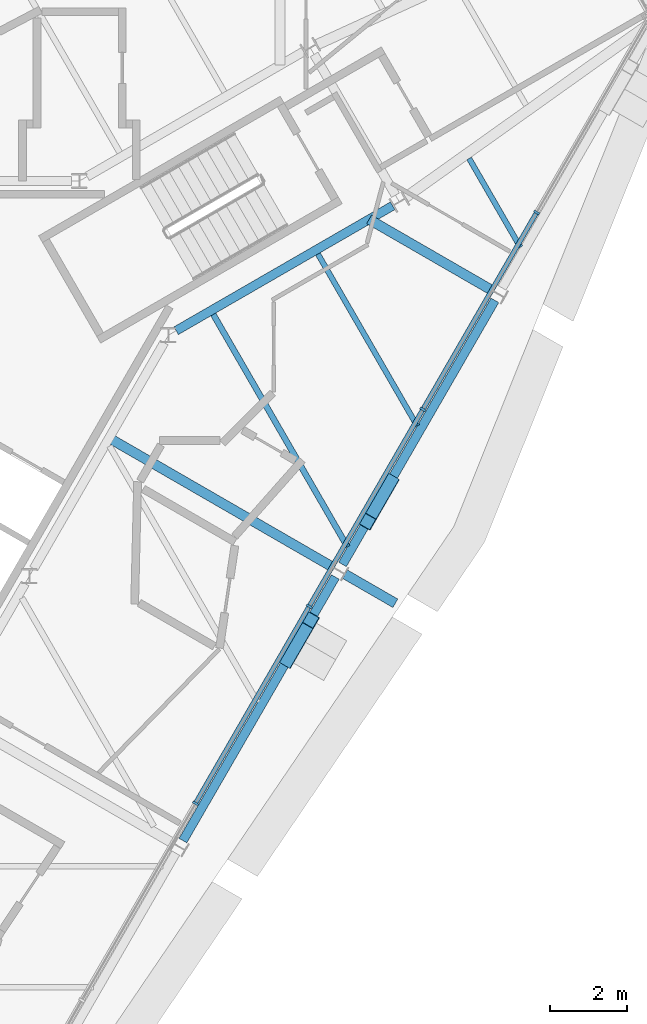
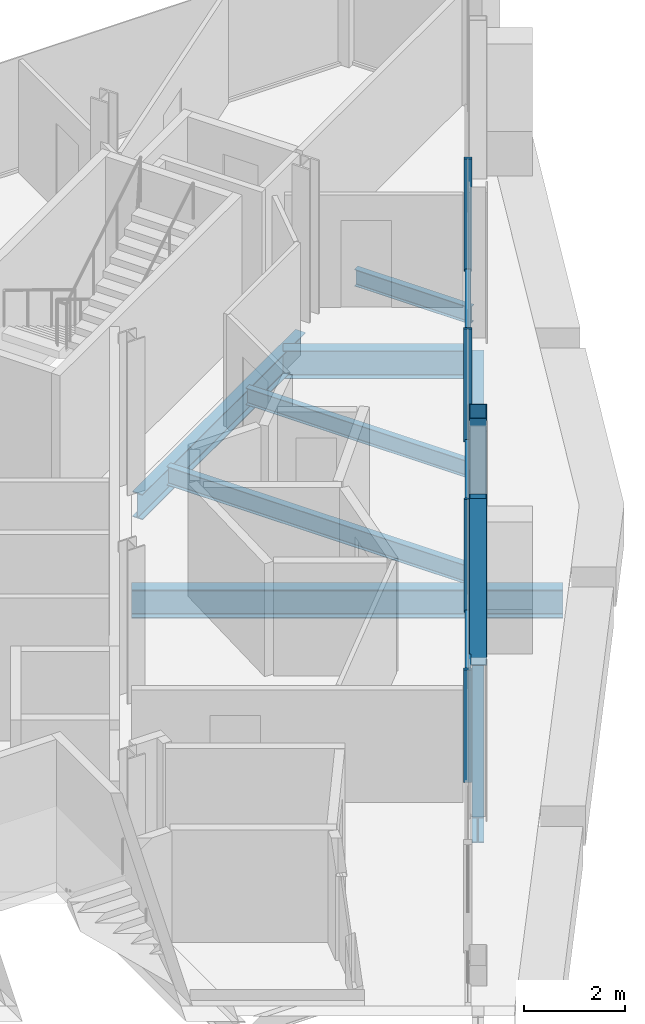
# One storey, part 5 of 15: 9 beams, 9 members, 1 element without a shape of its own.
"""IFC4 building model written with IfcOpenShell, lengths in metres."""

import ifcopenshell
import ifcopenshell.guid

model = None  # the IFC model being written
_history = None  # IfcOwnerHistory: only IFC2X3 demands one
_inside = {}  # id of a spatial element -> (the spatial element, [elements in it])
_under = {}  # id of a project, library or spatial element -> (it, [spatial elements below it])
_declared = {}  # id of a project -> (the project, [libraries it declares])
_typed = {}  # id of a type object -> (the type object, [elements of that type])
_made_of = {}  # id of a material, layer set ... -> (it, [elements and type objects made of it])


def new_model(schema):
    """Start an empty IFC model of exactly this schema.

    Asked for "IFC4X3", IfcOpenShell would pick the latest addendum, in which some entities
    have other attributes; the version numbers below select the first issue.
    IFC2X3 requires an IfcOwnerHistory on every rooted entity: one is made here for all.
    """
    global model, _history
    if schema == "IFC4X3":
        model = ifcopenshell.file(schema_version=(4, 3, 0, 0))
    else:
        model = ifcopenshell.file(schema=schema)
    _inside.clear()
    _under.clear()
    _declared.clear()
    _typed.clear()
    _made_of.clear()
    _history = None
    if model.schema == "IFC2X3":
        org = make("IfcOrganization", Name="unknown")
        user = make(
            "IfcPersonAndOrganization",
            ThePerson=make("IfcPerson", FamilyName="unknown"),
            TheOrganization=org,
        )
        app = make(
            "IfcApplication",
            ApplicationDeveloper=org,
            Version="unknown",
            ApplicationFullName="unknown",
            ApplicationIdentifier="unknown",
        )
        _history = make(
            "IfcOwnerHistory",
            OwningUser=user,
            OwningApplication=app,
            ChangeAction="ADDED",
            CreationDate=0,
        )
    return model


def make(cls, **values):
    """One entity of the class cls with the attributes given. An attribute that is None is left unset."""
    return model.create_entity(
        cls, **{name: value for name, value in values.items() if value is not None}
    )


def rooted(cls, **values):
    """An entity with a GlobalId (a new one), such as an element, a storey or a relation."""
    return make(cls, GlobalId=ifcopenshell.guid.new(), OwnerHistory=_history, **values)


def si_unit(unit_type, name, prefix=None):
    """IfcSIUnit, for example si_unit("LENGTHUNIT", "METRE", prefix="MILLI")."""
    return make("IfcSIUnit", UnitType=unit_type, Prefix=prefix, Name=name)


def assignment(units):
    """IfcUnitAssignment: the units of a project."""
    return None if units is None else make("IfcUnitAssignment", Units=units)


def point(xyz):
    """IfcCartesianPoint."""
    return None if xyz is None else make("IfcCartesianPoint", Coordinates=xyz)


def direction(xyz):
    """IfcDirection."""
    return None if xyz is None else make("IfcDirection", DirectionRatios=xyz)


def frame(location, z_axis=None, x_axis=None):
    """IfcAxis2Placement3D, a coordinate frame: its origin and axes. An axis left out is left unset."""
    return make(
        "IfcAxis2Placement3D",
        Location=point(location),
        Axis=direction(z_axis),
        RefDirection=direction(x_axis),
    )


def frame_2d(location, x_axis=None):
    """IfcAxis2Placement2D, a coordinate frame in the plane: its origin and x axis."""
    return make(
        "IfcAxis2Placement2D", Location=point(location), RefDirection=direction(x_axis)
    )


def origin():
    """The frame at (0, 0, 0) with its axes left unset."""
    return frame((0.0, 0.0, 0.0))


def origin_2d():
    """The frame at (0, 0) in the plane with its x axis left unset."""
    return frame_2d((0.0, 0.0))


def place(relative_to, where):
    """IfcLocalPlacement: puts the frame where relative to a parent placement (None: the world)."""
    return make(
        "IfcLocalPlacement", PlacementRelTo=relative_to, RelativePlacement=where
    )


def context(
    kind, dimensions, precision=None, world=None, true_north=None, identifier=None
):
    """IfcGeometricRepresentationContext, for example the 3D "Model" context."""
    return make(
        "IfcGeometricRepresentationContext",
        ContextIdentifier=identifier,
        ContextType=kind,
        CoordinateSpaceDimension=dimensions,
        Precision=precision,
        WorldCoordinateSystem=world,
        TrueNorth=true_north,
    )


def subcontext(parent, identifier, kind, view, scale=None):
    """IfcGeometricRepresentationSubContext, for example "Body" below "Model"."""
    return make(
        "IfcGeometricRepresentationSubContext",
        ContextIdentifier=identifier,
        ContextType=kind,
        ParentContext=parent,
        TargetScale=scale,
        TargetView=view,
    )


def project(units=None, contexts=None):
    """IfcProject with its units and contexts."""
    return rooted(
        "IfcProject",
        Name="project",
        RepresentationContexts=contexts,
        UnitsInContext=assignment(units),
    )


def spatial(cls, under=None, at=None, **own):
    """A site, building, storey or space (cls), placed at a placement, below another one or the project."""
    s = rooted(cls, ObjectPlacement=at, **own)
    if under is not None:
        _under.setdefault(under.id(), (under, []))[1].append(s)
    return s


def profile(cls, at=None, kind="AREA", **sizes):
    """A parametric profile (cls). Its sizes go by their IFC names, for example OverallWidth=200.0."""
    return make(cls, ProfileType=kind, Position=at, **sizes)


def rectangle(**sizes):
    """IfcRectangleProfileDef."""
    return profile("IfcRectangleProfileDef", **sizes)


def hollow_rectangle(**sizes):
    """IfcRectangleHollowProfileDef."""
    return profile("IfcRectangleHollowProfileDef", **sizes)


def i_section(**sizes):
    """IfcIShapeProfileDef."""
    return profile("IfcIShapeProfileDef", **sizes)


def extrude(swept, where, along, depth):
    """IfcExtrudedAreaSolid: the profile swept, set in the frame where, extruded along a direction by depth."""
    return make(
        "IfcExtrudedAreaSolid",
        SweptArea=swept,
        Position=where,
        ExtrudedDirection=direction(along),
        Depth=depth,
    )


def shape(context_of_items, identifier, shape_type, items):
    """IfcShapeRepresentation: the items that make up one representation, for example the "Body"."""
    return make(
        "IfcShapeRepresentation",
        ContextOfItems=context_of_items,
        RepresentationIdentifier=identifier,
        RepresentationType=shape_type,
        Items=items,
    )


def material(Name=None, Category=None):
    """IfcMaterial."""
    return make("IfcMaterial", Name=Name, Category=Category)


def material_profile(
    of_material, cross_section, Name=None, Category=None, Priority=None
):
    """IfcMaterialProfile: a cross section and its material."""
    return make(
        "IfcMaterialProfile",
        Name=Name,
        Material=of_material,
        Profile=cross_section,
        Priority=Priority,
        Category=Category,
    )


def profile_set(profiles, Name=None, composite=None):
    """IfcMaterialProfileSet."""
    return make(
        "IfcMaterialProfileSet",
        Name=Name,
        MaterialProfiles=profiles,
        CompositeProfile=composite,
    )


def made_of(thing, what):
    """Note that an element or type object is made of a material, layer set ...; save() writes the relation."""
    if what is not None:
        _made_of.setdefault(what.id(), (what, []))[1].append(thing)
    return thing


def type_object(cls, material=None, **own):
    """A type object (cls), such as IfcWallType, which elements share."""
    return made_of(rooted(cls, **own), material)


def element(
    cls,
    number,
    at=None,
    inside=None,
    cuts=None,
    type_object=None,
    material=None,
    context=None,
    identifier="Body",
    shape_type=None,
    held_by="IfcProductDefinitionShape",
    body=None,
    shapes=None,
    **own,
):
    """One element of the class cls, such as IfcWall. Its Tag is "e" and its number.

    at: its placement. inside: the storey or other place that contains it. cuts: it is an
    opening in that element (IfcRelVoidsElement). A single representation is given by context,
    identifier, shape_type and body (its items); several are given by shapes. held_by: the class
    of the entity that holds the representations. save() writes the other relations.
    """
    e = rooted(cls, Tag="e%d" % number, ObjectPlacement=at, **own)
    if body is not None:
        shapes = [shape(context, identifier, shape_type, body)]
    if shapes is not None:
        e.Representation = make(held_by, Representations=shapes)
    if inside is not None:
        _inside.setdefault(inside.id(), (inside, []))[1].append(e)
    if cuts is not None:
        rooted(
            "IfcRelVoidsElement", RelatingBuildingElement=cuts, RelatedOpeningElement=e
        )
    if type_object is not None:
        _typed.setdefault(type_object.id(), (type_object, []))[1].append(e)
    return made_of(e, material)


def aggregate(whole, parts):
    """IfcRelAggregates: a whole, such as a stair, and the parts it consists of."""
    return rooted("IfcRelAggregates", RelatingObject=whole, RelatedObjects=parts)


def save(model, path):
    """Write the relations noted so far, then the file.

    IfcRelAggregates (storeys below a building ...), IfcRelContainedInSpatialStructure (elements
    in a storey), IfcRelDefinesByType, IfcRelAssociatesMaterial and IfcRelDeclares: one each for
    every whole, place, type object, material and project.
    """
    for whole, parts in _under.values():
        aggregate(whole, parts)
    for where, things in _inside.values():
        rooted(
            "IfcRelContainedInSpatialStructure",
            RelatedElements=things,
            RelatingStructure=where,
        )
    for kind, things in _typed.values():
        rooted("IfcRelDefinesByType", RelatedObjects=things, RelatingType=kind)
    for what, things in _made_of.values():
        rooted("IfcRelAssociatesMaterial", RelatedObjects=things, RelatingMaterial=what)
    for by, libraries in _declared.values():
        rooted("IfcRelDeclares", RelatingContext=by, RelatedDefinitions=libraries)
    model.write(path)


model = new_model("IFC4")

# Units and contexts
model_context = context("Model", 3, precision=1e-05, world=origin(), true_north=direction((0.0, 1.0)))
body_context = subcontext(model_context, "Body", "Model", "MODEL_VIEW")
ifc_project = project(units=[si_unit("LENGTHUNIT", "METRE"), si_unit("AREAUNIT", "SQUARE_METRE"), si_unit("VOLUMEUNIT", "CUBIC_METRE"), si_unit("PLANEANGLEUNIT", "RADIAN"), si_unit("MASSUNIT", "GRAM", prefix="KILO")], contexts=[model_context])

# Site, building, storey
site_placement = place(None, origin())
site = spatial("IfcSite", under=ifc_project, at=site_placement, CompositionType="ELEMENT")
building_placement = place(site_placement, origin())
building = spatial("IfcBuilding", under=site, at=building_placement, Name="Verrane Prism Tower", CompositionType="ELEMENT")
storey_placement = place(building_placement, frame((0.0, 0.0, 301.0)))
storey = spatial("IfcBuildingStorey", under=building, at=storey_placement, Name="L76", CompositionType="ELEMENT", Elevation=301.0)

# Beam
ifc_material_1 = material(Name="Steel A992", Category="steel")
ifc_material_profile_1 = material_profile(ifc_material_1, i_section(OverallWidth=0.23046875, OverallDepth=0.6171875, WebThickness=0.01318359375, FlangeThickness=0.022216796875, FilletRadius=0.012939453125, at=origin_2d()), Name="W24x94")
ifc_profile_set_1 = profile_set([ifc_material_profile_1], Name="Steel A992")
beam_type_1 = type_object("IfcBeamType", Name="Core ring girder W24x94", PredefinedType="BEAM", material=ifc_profile_set_1)
beam_1_placement = place(storey_placement, frame((9.679443359375, 2.93505859375, -0.55859375), z_axis=(0.866080992722, 0.499903704773, 0.0), x_axis=(-0.499903704773, 0.866080992722, 0.0)))
element("IfcBeam", 1, at=beam_1_placement, inside=storey, type_object=beam_type_1, Name="Core ring girder L76", PredefinedType="BEAM", context=body_context, shape_type="SweptSolid", body=[
    extrude(i_section(OverallWidth=0.23046875, OverallDepth=0.6171875, WebThickness=0.01318359375, FlangeThickness=0.022216796875, FilletRadius=0.012939453125, at=origin_2d()), origin(), (0.0, 0.0, 1.0), 6.451904296875),
])

# Members
ifc_material_2 = material(Name="Steel A500 Grade C", Category="steel")
ifc_material_profile_2 = material_profile(ifc_material_2, hollow_rectangle(XDim=0.355712890625, YDim=0.355712890625, WallThickness=0.0126953125, InnerFilletRadius=0.00634765625, OuterFilletRadius=0.01904296875, at=origin_2d()), Name="HSS14x14x1/2")
ifc_profile_set_2 = profile_set([ifc_material_profile_2], Name="Steel A500 Grade C")
member_type_1 = type_object("IfcMemberType", Name="Facade brace HSS14x14x1/2", PredefinedType="BRACE", material=ifc_profile_set_2)
member_1_placement = place(storey_placement, frame((12.553466796875, -5.555908203125, -0.216796875), z_axis=(0.173952095241, 0.301139794354, 0.937579592791), x_axis=(-0.865914625179, 0.500191825104, 0.0)))
element("IfcMember", 2, at=member_1_placement, inside=storey, type_object=member_type_1, Name="Facade brace SE2 L76", PredefinedType="BRACE", context=body_context, shape_type="SweptSolid", body=[
    extrude(hollow_rectangle(XDim=0.355712890625, YDim=0.355712890625, WallThickness=0.0126953125, InnerFilletRadius=0.00634765625, OuterFilletRadius=0.01904296875, at=origin_2d()), origin(), (0.0, 0.0, 1.0), 3.4091796875),
])
member_2_placement = place(storey_placement, frame((15.20654296875, -0.9609375, -0.216796875), z_axis=(-0.17399901277, -0.301526684269, 0.937446532997), x_axis=(0.86613421761, -0.499811481546, 0.0)))
element("IfcMember", 3, at=member_2_placement, inside=storey, type_object=member_type_1, Name="Facade brace SE3 L76", PredefinedType="BRACE", context=body_context, shape_type="SweptSolid", body=[
    extrude(hollow_rectangle(XDim=0.355712890625, YDim=0.355712890625, WallThickness=0.0126953125, InnerFilletRadius=0.00634765625, OuterFilletRadius=0.01904296875, at=origin_2d()), origin(), (0.0, 0.0, 1.0), 3.40966796875),
])

# Beams
ifc_material_3 = material(Name="Steel A992", Category="steel")
ifc_material_profile_3 = material_profile(ifc_material_3, i_section(OverallWidth=0.140380859375, OverallDepth=0.40380859375, WebThickness=0.007080078125, FlangeThickness=0.01123046875, FilletRadius=0.01025390625, at=origin_2d()), Name="W16x31")
ifc_profile_set_3 = profile_set([ifc_material_profile_3], Name="Steel A992")
beam_type_2 = type_object("IfcBeamType", Name="Floor beam W16x31", PredefinedType="BEAM", material=ifc_profile_set_3)
beam_2_placement = place(storey_placement, frame((15.902099609375, 0.474609375, -0.36181640625), z_axis=(-0.500011000363, 0.866019052629, 0.0), x_axis=(-0.866019052629, -0.500011000363, 0.0)))
element("IfcBeam", 4, at=beam_2_placement, inside=storey, type_object=beam_type_2, Name="Floor beam L76", PredefinedType="BEAM", context=body_context, shape_type="SweptSolid", body=[
    extrude(i_section(OverallWidth=0.140380859375, OverallDepth=0.40380859375, WebThickness=0.007080078125, FlangeThickness=0.01123046875, FilletRadius=0.01025390625, at=origin_2d()), origin(), (0.0, 0.0, 1.0), 5.126953125),
])
beam_3_placement = place(storey_placement, frame((18.565185546875, 5.089599609375, -0.36181640625), z_axis=(-0.49994082229, 0.866059567356, 0.0), x_axis=(-0.866059567356, -0.49994082229, 0.0)))
element("IfcBeam", 5, at=beam_3_placement, inside=storey, type_object=beam_type_2, Name="Floor beam L76", PredefinedType="BEAM", context=body_context, shape_type="SweptSolid", body=[
    extrude(i_section(OverallWidth=0.140380859375, OverallDepth=0.40380859375, WebThickness=0.007080078125, FlangeThickness=0.01123046875, FilletRadius=0.01025390625, at=origin_2d()), origin(), (0.0, 0.0, 1.0), 2.645263671875),
])
ifc_material_4 = material(Name="Steel A992", Category="steel")
ifc_material_profile_4 = material_profile(ifc_material_4, i_section(OverallWidth=0.15234375, OverallDepth=0.449462890625, WebThickness=0.007568359375, FlangeThickness=0.0107421875, FilletRadius=0.01025390625, at=origin_2d()), Name="W18x35")
ifc_profile_set_4 = profile_set([ifc_material_profile_4], Name="Steel A992")
beam_type_3 = type_object("IfcBeamType", Name="Floor beam W18x35", PredefinedType="BEAM", material=ifc_profile_set_4)
beam_4_placement = place(storey_placement, frame((14.1015625, -2.64599609375, -0.384765625), z_axis=(-0.49999287541, 0.866029517129, 0.0), x_axis=(-0.866029517129, -0.49999287541, 0.0)))
element("IfcBeam", 6, at=beam_4_placement, inside=storey, type_object=beam_type_3, Name="Floor beam L76", PredefinedType="BEAM", context=body_context, shape_type="SweptSolid", body=[
    extrude(i_section(OverallWidth=0.15234375, OverallDepth=0.449462890625, WebThickness=0.007568359375, FlangeThickness=0.0107421875, FilletRadius=0.01025390625, at=origin_2d()), origin(), (0.0, 0.0, 1.0), 6.92919921875),
])

# Curtain wall, members
ifc_material_5 = material(Name="Aluminium framed insulated glazing", Category="aluminium")
curtain_wall_type = type_object("IfcCurtainWallType", Name="Curtain wall CW-B 5600 module", PredefinedType="NOTDEFINED", material=ifc_material_5)
curtain_wall_placement = place(storey_placement, origin())
curtain_wall = element("IfcCurtainWall", 7, at=curtain_wall_placement, inside=storey, type_object=curtain_wall_type, Name="Glazed curtain wall south-east face L76", PredefinedType="NOTDEFINED")
ifc_material_6 = material(Name="Aluminium alloy 6063-T6", Category="aluminium")
ifc_material_profile_5 = material_profile(ifc_material_6, rectangle(XDim=0.159912109375, YDim=0.06005859375, at=origin_2d()), Name="Mullion 60x160 aluminium")
ifc_profile_set_5 = profile_set([ifc_material_profile_5], Name="Aluminium alloy 6063-T6")
member_type_2 = type_object("IfcMemberType", Name="Mullion 60x160 aluminium", PredefinedType="MULLION", material=ifc_profile_set_5)
member_3_placement = place(storey_placement, frame((10.177978515625, -9.265625, 0.0), z_axis=(0.0, 0.0, 1.0), x_axis=(-0.866024861728, 0.500000938868, 0.0)))
member_3 = element("IfcMember", 8, at=member_3_placement, type_object=member_type_2, Name="CW75.6 mullion 4", PredefinedType="MULLION", context=body_context, shape_type="SweptSolid", body=[
    extrude(rectangle(XDim=0.159912109375, YDim=0.06005859375, at=origin_2d()), origin(), (0.0, 0.0, 1.0), 2.72314453125),
])
member_4_placement = place(storey_placement, frame((13.11328125, -4.181640625, 0.0), z_axis=(0.0, 0.0, 1.0), x_axis=(-0.866024861728, 0.500000938868, 0.0)))
member_4 = element("IfcMember", 9, at=member_4_placement, type_object=member_type_2, Name="CW75.6 mullion 5", PredefinedType="MULLION", context=body_context, shape_type="SweptSolid", body=[
    extrude(rectangle(XDim=0.159912109375, YDim=0.06005859375, at=origin_2d()), origin(), (0.0, 0.0, 1.0), 2.72314453125),
])
member_5_placement = place(storey_placement, frame((16.04833984375, 0.902099609375, 0.0), z_axis=(0.0, 0.0, 1.0), x_axis=(-0.866024861728, 0.500000938868, 0.0)))
member_5 = element("IfcMember", 10, at=member_5_placement, type_object=member_type_2, Name="CW75.6 mullion 6", PredefinedType="MULLION", context=body_context, shape_type="SweptSolid", body=[
    extrude(rectangle(XDim=0.159912109375, YDim=0.06005859375, at=origin_2d()), origin(), (0.0, 0.0, 1.0), 2.72314453125),
])
member_6_placement = place(storey_placement, frame((18.983642578125, 5.986083984375, 0.0), z_axis=(0.0, 0.0, 1.0), x_axis=(-0.866024861728, 0.500000938868, 0.0)))
member_6 = element("IfcMember", 11, at=member_6_placement, type_object=member_type_2, Name="CW75.6 mullion 7", PredefinedType="MULLION", context=body_context, shape_type="SweptSolid", body=[
    extrude(rectangle(XDim=0.159912109375, YDim=0.06005859375, at=origin_2d()), origin(), (0.0, 0.0, 1.0), 2.72314453125),
])

# Beams
ifc_material_7 = material(Name="Steel A992", Category="steel")
ifc_material_profile_6 = material_profile(ifc_material_7, i_section(OverallWidth=0.25390625, OverallDepth=0.683349609375, WebThickness=0.012451171875, FlangeThickness=0.01904296875, FilletRadius=0.01513671875, at=origin_2d()), Name="W27x94")
ifc_profile_set_6 = profile_set([ifc_material_profile_6], Name="Steel A992")
beam_type_4 = type_object("IfcBeamType", Name="Radial girder W27x94", PredefinedType="BEAM", material=ifc_profile_set_6)
beam_5_placement = place(storey_placement, frame((13.720458984375, -3.16796875, -0.5615234375), z_axis=(-0.866025791777, 0.499999327977, 0.0), x_axis=(-0.499999327977, -0.866025791777, 0.0)))
element("IfcBeam", 12, at=beam_5_placement, inside=storey, type_object=beam_type_4, Name="Radial girder L76", PredefinedType="BEAM", context=body_context, shape_type="SweptSolid", body=[
    extrude(i_section(OverallWidth=0.25390625, OverallDepth=0.683349609375, WebThickness=0.012451171875, FlangeThickness=0.01904296875, FilletRadius=0.01513671875, at=origin_2d()), origin(), (0.0, 0.0, 1.0), 6.666015625),
])
beam_6_placement = place(storey_placement, frame((17.840576171875, 3.97216796875, -0.5615234375), z_axis=(-0.866042841795, 0.499969795263, 0.0), x_axis=(-0.499969795263, -0.866042841795, 0.0)))
element("IfcBeam", 13, at=beam_6_placement, inside=storey, type_object=beam_type_4, Name="Radial girder L76", PredefinedType="BEAM", context=body_context, shape_type="SweptSolid", body=[
    extrude(i_section(OverallWidth=0.25390625, OverallDepth=0.683349609375, WebThickness=0.012451171875, FlangeThickness=0.01904296875, FilletRadius=0.01513671875, at=origin_2d()), origin(), (0.0, 0.0, 1.0), 3.674072265625),
])
beam_7_placement = place(storey_placement, frame((14.035888671875, -3.35009765625, -0.5615234375), z_axis=(0.86607463192, -0.499914724673, 0.0), x_axis=(0.499914724673, 0.86607463192, 0.0)))
element("IfcBeam", 14, at=beam_7_placement, inside=storey, type_object=beam_type_4, Name="Cantilever girder L76", PredefinedType="BEAM", context=body_context, shape_type="SweptSolid", body=[
    extrude(i_section(OverallWidth=0.25390625, OverallDepth=0.683349609375, WebThickness=0.012451171875, FlangeThickness=0.01904296875, FilletRadius=0.01513671875, at=origin_2d()), origin(), (0.0, 0.0, 1.0), 1.502197265625),
])
ifc_material_8 = material(Name="Steel A992", Category="steel")
ifc_material_profile_7 = material_profile(ifc_material_8, i_section(OverallWidth=0.23046875, OverallDepth=0.6171875, WebThickness=0.01318359375, FlangeThickness=0.022216796875, FilletRadius=0.012939453125, at=origin_2d()), Name="W24x94")
ifc_profile_set_7 = profile_set([ifc_material_profile_7], Name="Steel A992")
beam_type_5 = type_object("IfcBeamType", Name="Spandrel beam W24x94", PredefinedType="SPANDREL", material=ifc_profile_set_7)
beam_8_placement = place(storey_placement, frame((9.853515625, -10.228515625, -0.468505859375), z_axis=(0.500300363133, 0.865851919585, 0.0), x_axis=(-0.865851919585, 0.500300363133, 0.0)))
element("IfcBeam", 15, at=beam_8_placement, inside=storey, type_object=beam_type_5, Name="Spandrel beam L76", PredefinedType="SPANDREL", context=body_context, shape_type="SweptSolid", body=[
    extrude(i_section(OverallWidth=0.23046875, OverallDepth=0.6171875, WebThickness=0.01318359375, FlangeThickness=0.022216796875, FilletRadius=0.012939453125, at=origin_2d()), origin(), (0.0, 0.0, 1.0), 7.861572265625),
])
beam_9_placement = place(storey_placement, frame((13.973388671875, -3.098388671875, -0.468505859375), z_axis=(0.499786009893, 0.866148915785, 0.0), x_axis=(-0.866148915785, 0.499786009893, 0.0)))
element("IfcBeam", 16, at=beam_9_placement, inside=storey, type_object=beam_type_5, Name="Spandrel beam L76", PredefinedType="SPANDREL", context=body_context, shape_type="SweptSolid", body=[
    extrude(i_section(OverallWidth=0.23046875, OverallDepth=0.6171875, WebThickness=0.01318359375, FlangeThickness=0.022216796875, FilletRadius=0.012939453125, at=origin_2d()), origin(), (0.0, 0.0, 1.0), 7.8701171875),
])

# Member
ifc_material_9 = material(Name="Aluminium alloy 6063-T6", Category="aluminium")
ifc_material_profile_8 = material_profile(ifc_material_9, rectangle(XDim=0.1201171875, YDim=0.06005859375, at=origin_2d()), Name="Transom 60x120 aluminium")
ifc_profile_set_8 = profile_set([ifc_material_profile_8], Name="Aluminium alloy 6063-T6")
member_type_3 = type_object("IfcMemberType", Name="Transom 60x120 aluminium", PredefinedType="USERDEFINED", material=ifc_profile_set_8)
member_7_placement = place(storey_placement, frame((10.193115234375, -9.239501953125, 0.030029296875), z_axis=(0.499994042164, 0.866028843516, 0.0), x_axis=(-0.866028843516, 0.499994042164, 0.0)))
member_7 = element("IfcMember", 17, at=member_7_placement, type_object=member_type_3, Name="CW75.6 transom 4", ObjectType="TRANSOM", PredefinedType="USERDEFINED", context=body_context, shape_type="SweptSolid", body=[
    extrude(rectangle(XDim=0.1201171875, YDim=0.06005859375, at=origin_2d()), origin(), (0.0, 0.0, 1.0), 5.81005859375),
])

member_8_placement = place(storey_placement, frame((13.128173828125, -4.15576171875, 0.030029296875), z_axis=(0.500007361489, 0.866021153585, 0.0), x_axis=(-0.866021153585, 0.500007361489, 0.0)))
member_8 = element("IfcMember", 18, at=member_8_placement, type_object=member_type_3, Name="CW75.6 transom 5", ObjectType="TRANSOM", PredefinedType="USERDEFINED", context=body_context, shape_type="SweptSolid", body=[
    extrude(rectangle(XDim=0.1201171875, YDim=0.06005859375, at=origin_2d()), origin(), (0.0, 0.0, 1.0), 5.810546875),
])

member_9_placement = place(storey_placement, frame((16.0634765625, 0.92822265625, 0.030029296875), z_axis=(0.499994042164, 0.866028843516, 0.0), x_axis=(-0.866028843516, 0.499994042164, 0.0)))
member_9 = element("IfcMember", 19, at=member_9_placement, type_object=member_type_3, Name="CW75.6 transom 6", ObjectType="TRANSOM", PredefinedType="USERDEFINED", context=body_context, shape_type="SweptSolid", body=[
    extrude(rectangle(XDim=0.1201171875, YDim=0.06005859375, at=origin_2d()), origin(), (0.0, 0.0, 1.0), 5.81005859375),
])

aggregate(curtain_wall, [member_3, member_4, member_5, member_6, member_7, member_8, member_9])

save(model, "model.ifc")
